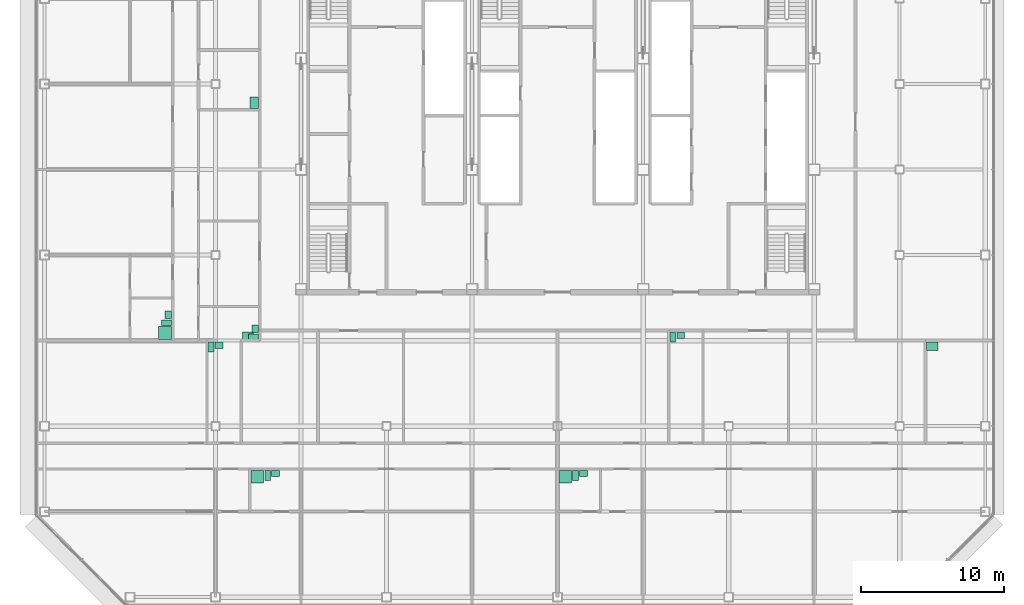
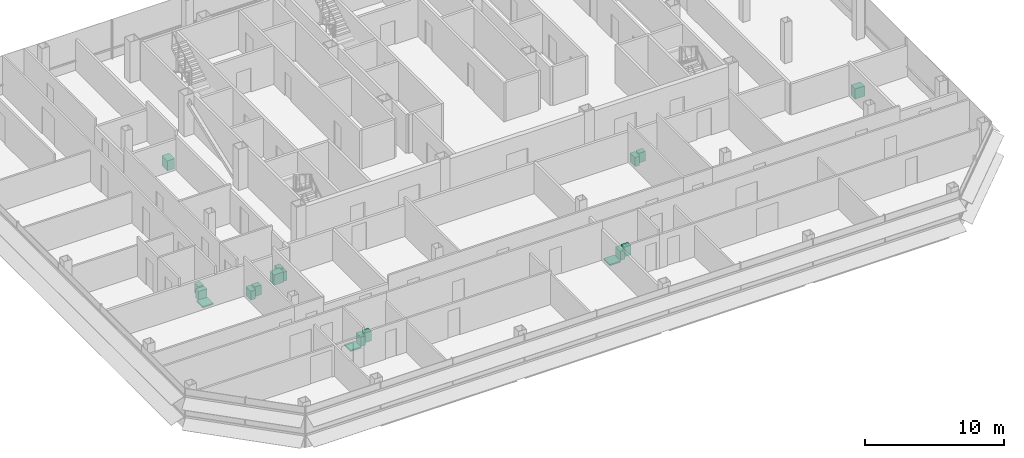
# One storey, part 26 of 26: 18 sanitary terminals.
"""IFC4 building model written with IfcOpenShell, lengths in metres."""

from ifc_helpers import new_model, si_unit, direction, frame, origin, origin_2d, place, context, subcontext, project, spatial, rectangle, extrude, element, save


model = new_model("IFC4")

# Units and contexts
model_context = context("Model", 3, precision=1e-05, world=origin(), true_north=direction((0.0, 1.0)))
body_context = subcontext(model_context, "Body", "Model", "MODEL_VIEW")
ifc_project = project(units=[si_unit("LENGTHUNIT", "METRE"), si_unit("AREAUNIT", "SQUARE_METRE"), si_unit("VOLUMEUNIT", "CUBIC_METRE"), si_unit("PLANEANGLEUNIT", "RADIAN"), si_unit("MASSUNIT", "GRAM", prefix="KILO")], contexts=[model_context])

# Site, building, storey
site_placement = place(None, origin())
site = spatial("IfcSite", under=ifc_project, at=site_placement, CompositionType="ELEMENT")
building_placement = place(site_placement, origin())
building = spatial("IfcBuilding", under=site, at=building_placement, Name="Sorahane Residences", CompositionType="ELEMENT")
storey_placement = place(building_placement, frame((0.0, 0.0, 215.39990234375)))
storey = spatial("IfcBuildingStorey", under=building, at=storey_placement, Name="L50", CompositionType="ELEMENT", Elevation=215.39990234375)

# Sanitary terminals
sanitary_terminal_1_placement = place(storey_placement, frame((2.929931640625, 8.449951171875, 0.0), z_axis=(0.0, 0.0, 1.0), x_axis=(1.0, 0.0, 0.0)))
element("IfcSanitaryTerminal", 1, at=sanitary_terminal_1_placement, inside=storey, Name="Shower tray En-suite bathroom 50A", PredefinedType="SHOWER", context=body_context, shape_type="SweptSolid", body=[
    extrude(rectangle(XDim=0.89990234375, YDim=0.89990234375, at=origin_2d()), origin(), (0.0, 0.0, 1.0), 0.1201171875),
])
sanitary_terminal_2_placement = place(storey_placement, frame((3.659912109375, 8.550048828125, 0.0), z_axis=(0.0, 0.0, 1.0), x_axis=(1.0, 0.0, 0.0)))
element("IfcSanitaryTerminal", 2, at=sanitary_terminal_2_placement, inside=storey, Name="WC pan En-suite bathroom 50A", PredefinedType="TOILETPAN", context=body_context, shape_type="SweptSolid", body=[
    extrude(rectangle(XDim=0.39990234375, YDim=0.699951171875, at=origin_2d()), origin(), (0.0, 0.0, 1.0), 0.800048828125),
])
sanitary_terminal_3_placement = place(storey_placement, frame((4.215087890625, 8.675048828125, 0.0), z_axis=(0.0, 0.0, 1.0), x_axis=(1.0, 0.0, 0.0)))
element("IfcSanitaryTerminal", 3, at=sanitary_terminal_3_placement, inside=storey, Name="Wash basin En-suite bathroom 50A", PredefinedType="WASHHANDBASIN", context=body_context, shape_type="SweptSolid", body=[
    extrude(rectangle(XDim=0.550048828125, YDim=0.449951171875, at=origin_2d()), origin(), (0.0, 0.0, 1.0), 0.85009765625),
])
sanitary_terminal_4_placement = place(storey_placement, frame((-0.320068359375, 17.550048828125, 0.0), z_axis=(0.0, 0.0, 1.0), x_axis=(1.0, 0.0, 0.0)))
element("IfcSanitaryTerminal", 4, at=sanitary_terminal_4_placement, inside=storey, Name="WC pan Powder room 50A", PredefinedType="TOILETPAN", context=body_context, shape_type="SweptSolid", body=[
    extrude(rectangle(XDim=0.39990234375, YDim=0.699951171875, at=origin_2d()), origin(), (0.0, 0.0, 1.0), 0.800048828125),
])
sanitary_terminal_5_placement = place(storey_placement, frame((0.235107421875, 17.675048828125, 0.0), z_axis=(0.0, 0.0, 1.0), x_axis=(1.0, 0.0, 0.0)))
element("IfcSanitaryTerminal", 5, at=sanitary_terminal_5_placement, inside=storey, Name="Wash basin Powder room 50A", PredefinedType="WASHHANDBASIN", context=body_context, shape_type="SweptSolid", body=[
    extrude(rectangle(XDim=0.550048828125, YDim=0.449951171875, at=origin_2d()), origin(), (0.0, 0.0, 1.0), 0.85009765625),
])
sanitary_terminal_6_placement = place(storey_placement, frame((2.280029296875, 18.300048828125, 0.000244140625), z_axis=(0.0, 0.0, 1.0), x_axis=(1.0, 0.0, 0.0)))
element("IfcSanitaryTerminal", 6, at=sanitary_terminal_6_placement, inside=storey, Name="Kitchen sink Kitchen 50A", PredefinedType="SINK", context=body_context, shape_type="SweptSolid", body=[
    extrude(rectangle(XDim=0.800048828125, YDim=0.60009765625, at=origin_2d()), origin(), (0.0, 0.0, 1.0), 0.89990234375),
])
sanitary_terminal_7_placement = place(storey_placement, frame((24.530029296875, 8.449951171875, 0.0), z_axis=(0.0, 0.0, 1.0), x_axis=(1.0, 0.0, 0.0)))
element("IfcSanitaryTerminal", 7, at=sanitary_terminal_7_placement, inside=storey, Name="Shower tray En-suite bathroom 50B", PredefinedType="SHOWER", context=body_context, shape_type="SweptSolid", body=[
    extrude(rectangle(XDim=0.89990234375, YDim=0.89990234375, at=origin_2d()), origin(), (0.0, 0.0, 1.0), 0.1201171875),
])
sanitary_terminal_8_placement = place(storey_placement, frame((25.260009765625, 8.550048828125, 0.0), z_axis=(0.0, 0.0, 1.0), x_axis=(1.0, 0.0, 0.0)))
element("IfcSanitaryTerminal", 8, at=sanitary_terminal_8_placement, inside=storey, Name="WC pan En-suite bathroom 50B", PredefinedType="TOILETPAN", context=body_context, shape_type="SweptSolid", body=[
    extrude(rectangle(XDim=0.39990234375, YDim=0.699951171875, at=origin_2d()), origin(), (0.0, 0.0, 1.0), 0.800048828125),
])
sanitary_terminal_9_placement = place(storey_placement, frame((25.81494140625, 8.675048828125, 0.0), z_axis=(0.0, 0.0, 1.0), x_axis=(1.0, 0.0, 0.0)))
element("IfcSanitaryTerminal", 9, at=sanitary_terminal_9_placement, inside=storey, Name="Wash basin En-suite bathroom 50B", PredefinedType="WASHHANDBASIN", context=body_context, shape_type="SweptSolid", body=[
    extrude(rectangle(XDim=0.550048828125, YDim=0.449951171875, at=origin_2d()), origin(), (0.0, 0.0, 1.0), 0.85009765625),
])
sanitary_terminal_10_placement = place(storey_placement, frame((32.080078125, 18.25, 0.0), z_axis=(0.0, 0.0, 1.0), x_axis=(1.0, 0.0, 0.0)))
element("IfcSanitaryTerminal", 10, at=sanitary_terminal_10_placement, inside=storey, Name="WC pan Powder room 50B", PredefinedType="TOILETPAN", context=body_context, shape_type="SweptSolid", body=[
    extrude(rectangle(XDim=0.39990234375, YDim=0.699951171875, at=origin_2d()), origin(), (0.0, 0.0, 1.0), 0.800048828125),
])
sanitary_terminal_11_placement = place(storey_placement, frame((32.635009765625, 18.375, 0.0), z_axis=(0.0, 0.0, 1.0), x_axis=(1.0, 0.0, 0.0)))
element("IfcSanitaryTerminal", 11, at=sanitary_terminal_11_placement, inside=storey, Name="Wash basin Powder room 50B", PredefinedType="WASHHANDBASIN", context=body_context, shape_type="SweptSolid", body=[
    extrude(rectangle(XDim=0.550048828125, YDim=0.449951171875, at=origin_2d()), origin(), (0.0, 0.0, 1.0), 0.85009765625),
])
sanitary_terminal_12_placement = place(storey_placement, frame((50.280029296875, 17.60009765625, 0.000244140625), z_axis=(0.0, 0.0, 1.0), x_axis=(1.0, 0.0, 0.0)))
element("IfcSanitaryTerminal", 12, at=sanitary_terminal_12_placement, inside=storey, Name="Kitchen sink Kitchen 50B", PredefinedType="SINK", context=body_context, shape_type="SweptSolid", body=[
    extrude(rectangle(XDim=0.800048828125, YDim=0.60009765625, at=origin_2d()), origin(), (0.0, 0.0, 1.0), 0.89990234375),
])
sanitary_terminal_13_placement = place(storey_placement, frame((-3.550048828125, 18.530029296875, 0.0), z_axis=(0.0, 0.0, 1.0), x_axis=(0.0, -1.0, 0.0)))
element("IfcSanitaryTerminal", 13, at=sanitary_terminal_13_placement, inside=storey, Name="Shower tray En-suite bathroom 50C", PredefinedType="SHOWER", context=body_context, shape_type="SweptSolid", body=[
    extrude(rectangle(XDim=0.89990234375, YDim=0.89990234375, at=origin_2d()), origin(), (0.0, 0.0, 1.0), 0.1201171875),
])
sanitary_terminal_14_placement = place(storey_placement, frame((-3.449951171875, 19.260009765625, 0.0), z_axis=(0.0, 0.0, 1.0), x_axis=(0.0, -1.0, 0.0)))
element("IfcSanitaryTerminal", 14, at=sanitary_terminal_14_placement, inside=storey, Name="WC pan En-suite bathroom 50C", PredefinedType="TOILETPAN", context=body_context, shape_type="SweptSolid", body=[
    extrude(rectangle(XDim=0.39990234375, YDim=0.699951171875, at=origin_2d()), origin(), (0.0, 0.0, 1.0), 0.800048828125),
])
sanitary_terminal_15_placement = place(storey_placement, frame((-3.324951171875, 19.81494140625, 0.0), z_axis=(0.0, 0.0, 1.0), x_axis=(0.0, -1.0, 0.0)))
element("IfcSanitaryTerminal", 15, at=sanitary_terminal_15_placement, inside=storey, Name="Wash basin En-suite bathroom 50C", PredefinedType="WASHHANDBASIN", context=body_context, shape_type="SweptSolid", body=[
    extrude(rectangle(XDim=0.550048828125, YDim=0.449951171875, at=origin_2d()), origin(), (0.0, 0.0, 1.0), 0.85009765625),
])
sanitary_terminal_16_placement = place(storey_placement, frame((2.64990234375, 18.280029296875, 0.0), z_axis=(0.0, 0.0, 1.0), x_axis=(0.0, -1.0, 0.0)))
element("IfcSanitaryTerminal", 16, at=sanitary_terminal_16_placement, inside=storey, Name="WC pan Guest WC 50C", PredefinedType="TOILETPAN", context=body_context, shape_type="SweptSolid", body=[
    extrude(rectangle(XDim=0.39990234375, YDim=0.699951171875, at=origin_2d()), origin(), (0.0, 0.0, 1.0), 0.800048828125),
])
sanitary_terminal_17_placement = place(storey_placement, frame((2.77490234375, 18.8349609375, 0.0), z_axis=(0.0, 0.0, 1.0), x_axis=(0.0, -1.0, 0.0)))
element("IfcSanitaryTerminal", 17, at=sanitary_terminal_17_placement, inside=storey, Name="Wash basin Guest WC 50C", PredefinedType="WASHHANDBASIN", context=body_context, shape_type="SweptSolid", body=[
    extrude(rectangle(XDim=0.550048828125, YDim=0.449951171875, at=origin_2d()), origin(), (0.0, 0.0, 1.0), 0.85009765625),
])
sanitary_terminal_18_placement = place(storey_placement, frame((2.699951171875, 34.679931640625, 0.000244140625), z_axis=(0.0, 0.0, 1.0), x_axis=(0.0, -1.0, 0.0)))
element("IfcSanitaryTerminal", 18, at=sanitary_terminal_18_placement, inside=storey, Name="Kitchen sink Kitchen 50C", PredefinedType="SINK", context=body_context, shape_type="SweptSolid", body=[
    extrude(rectangle(XDim=0.800048828125, YDim=0.60009765625, at=origin_2d()), origin(), (0.0, 0.0, 1.0), 0.89990234375),
])

save(model, "model.ifc")
